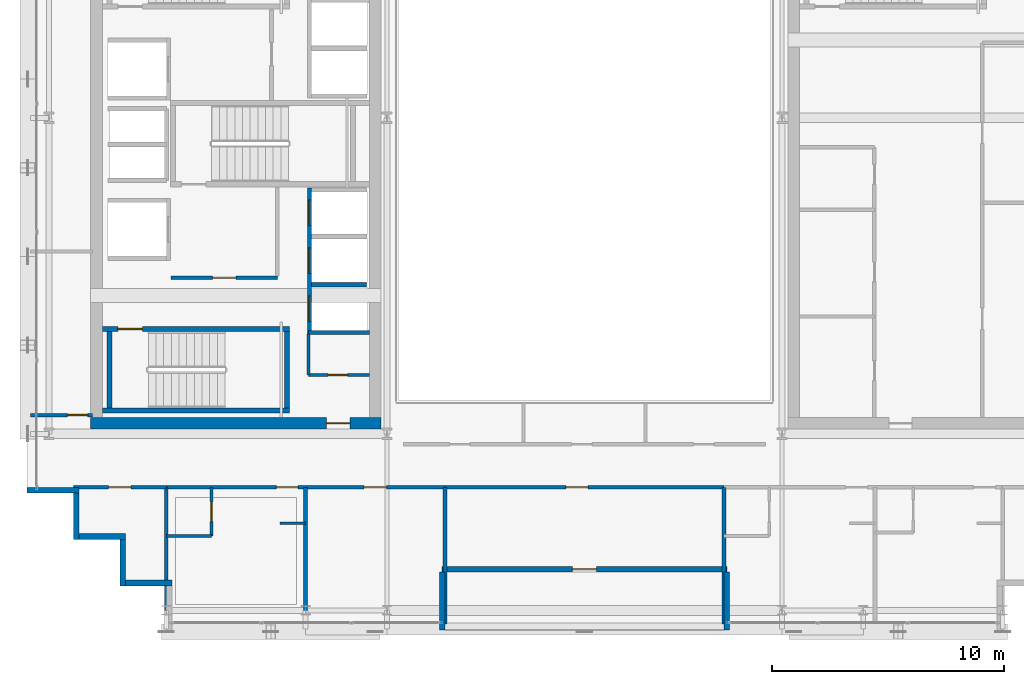
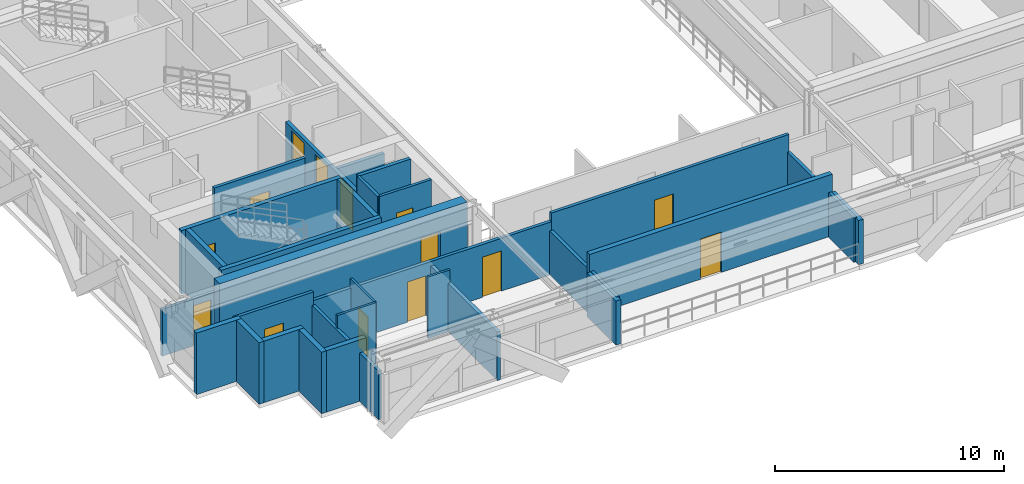
# One storey, part 24 of 32: 30 walls, 14 doors, 14 openings.
"""IFC4 building model written with IfcOpenShell, lengths in metres."""

import ifcopenshell
import ifcopenshell.guid

model = None  # the IFC model being written
_history = None  # IfcOwnerHistory: only IFC2X3 demands one
_inside = {}  # id of a spatial element -> (the spatial element, [elements in it])
_under = {}  # id of a project, library or spatial element -> (it, [spatial elements below it])
_declared = {}  # id of a project -> (the project, [libraries it declares])
_typed = {}  # id of a type object -> (the type object, [elements of that type])
_made_of = {}  # id of a material, layer set ... -> (it, [elements and type objects made of it])


def new_model(schema):
    """Start an empty IFC model of exactly this schema.

    Asked for "IFC4X3", IfcOpenShell would pick the latest addendum, in which some entities
    have other attributes; the version numbers below select the first issue.
    IFC2X3 requires an IfcOwnerHistory on every rooted entity: one is made here for all.
    """
    global model, _history
    if schema == "IFC4X3":
        model = ifcopenshell.file(schema_version=(4, 3, 0, 0))
    else:
        model = ifcopenshell.file(schema=schema)
    _inside.clear()
    _under.clear()
    _declared.clear()
    _typed.clear()
    _made_of.clear()
    _history = None
    if model.schema == "IFC2X3":
        org = make("IfcOrganization", Name="unknown")
        user = make(
            "IfcPersonAndOrganization",
            ThePerson=make("IfcPerson", FamilyName="unknown"),
            TheOrganization=org,
        )
        app = make(
            "IfcApplication",
            ApplicationDeveloper=org,
            Version="unknown",
            ApplicationFullName="unknown",
            ApplicationIdentifier="unknown",
        )
        _history = make(
            "IfcOwnerHistory",
            OwningUser=user,
            OwningApplication=app,
            ChangeAction="ADDED",
            CreationDate=0,
        )
    return model


def make(cls, **values):
    """One entity of the class cls with the attributes given. An attribute that is None is left unset."""
    return model.create_entity(
        cls, **{name: value for name, value in values.items() if value is not None}
    )


def rooted(cls, **values):
    """An entity with a GlobalId (a new one), such as an element, a storey or a relation."""
    return make(cls, GlobalId=ifcopenshell.guid.new(), OwnerHistory=_history, **values)


def si_unit(unit_type, name, prefix=None):
    """IfcSIUnit, for example si_unit("LENGTHUNIT", "METRE", prefix="MILLI")."""
    return make("IfcSIUnit", UnitType=unit_type, Prefix=prefix, Name=name)


def assignment(units):
    """IfcUnitAssignment: the units of a project."""
    return None if units is None else make("IfcUnitAssignment", Units=units)


def point(xyz):
    """IfcCartesianPoint."""
    return None if xyz is None else make("IfcCartesianPoint", Coordinates=xyz)


def direction(xyz):
    """IfcDirection."""
    return None if xyz is None else make("IfcDirection", DirectionRatios=xyz)


def frame(location, z_axis=None, x_axis=None):
    """IfcAxis2Placement3D, a coordinate frame: its origin and axes. An axis left out is left unset."""
    return make(
        "IfcAxis2Placement3D",
        Location=point(location),
        Axis=direction(z_axis),
        RefDirection=direction(x_axis),
    )


def frame_2d(location, x_axis=None):
    """IfcAxis2Placement2D, a coordinate frame in the plane: its origin and x axis."""
    return make(
        "IfcAxis2Placement2D", Location=point(location), RefDirection=direction(x_axis)
    )


def origin():
    """The frame at (0, 0, 0) with its axes left unset."""
    return frame((0.0, 0.0, 0.0))


def place(relative_to, where):
    """IfcLocalPlacement: puts the frame where relative to a parent placement (None: the world)."""
    return make(
        "IfcLocalPlacement", PlacementRelTo=relative_to, RelativePlacement=where
    )


def context(
    kind, dimensions, precision=None, world=None, true_north=None, identifier=None
):
    """IfcGeometricRepresentationContext, for example the 3D "Model" context."""
    return make(
        "IfcGeometricRepresentationContext",
        ContextIdentifier=identifier,
        ContextType=kind,
        CoordinateSpaceDimension=dimensions,
        Precision=precision,
        WorldCoordinateSystem=world,
        TrueNorth=true_north,
    )


def subcontext(parent, identifier, kind, view, scale=None):
    """IfcGeometricRepresentationSubContext, for example "Body" below "Model"."""
    return make(
        "IfcGeometricRepresentationSubContext",
        ContextIdentifier=identifier,
        ContextType=kind,
        ParentContext=parent,
        TargetScale=scale,
        TargetView=view,
    )


def project(units=None, contexts=None):
    """IfcProject with its units and contexts."""
    return rooted(
        "IfcProject",
        Name="project",
        RepresentationContexts=contexts,
        UnitsInContext=assignment(units),
    )


def spatial(cls, under=None, at=None, **own):
    """A site, building, storey or space (cls), placed at a placement, below another one or the project."""
    s = rooted(cls, ObjectPlacement=at, **own)
    if under is not None:
        _under.setdefault(under.id(), (under, []))[1].append(s)
    return s


def profile(cls, at=None, kind="AREA", **sizes):
    """A parametric profile (cls). Its sizes go by their IFC names, for example OverallWidth=200.0."""
    return make(cls, ProfileType=kind, Position=at, **sizes)


def rectangle(**sizes):
    """IfcRectangleProfileDef."""
    return profile("IfcRectangleProfileDef", **sizes)


def extrude(swept, where, along, depth):
    """IfcExtrudedAreaSolid: the profile swept, set in the frame where, extruded along a direction by depth."""
    return make(
        "IfcExtrudedAreaSolid",
        SweptArea=swept,
        Position=where,
        ExtrudedDirection=direction(along),
        Depth=depth,
    )


def shape(context_of_items, identifier, shape_type, items):
    """IfcShapeRepresentation: the items that make up one representation, for example the "Body"."""
    return make(
        "IfcShapeRepresentation",
        ContextOfItems=context_of_items,
        RepresentationIdentifier=identifier,
        RepresentationType=shape_type,
        Items=items,
    )


def source(mapping_origin, context_of_items, identifier, shape_type, items):
    """IfcRepresentationMap: a shape defined once, which mapped items show again and again."""
    return make(
        "IfcRepresentationMap",
        MappingOrigin=mapping_origin,
        MappedRepresentation=shape(context_of_items, identifier, shape_type, items),
    )


def transform(
    local_origin,
    x_axis=None,
    y_axis=None,
    z_axis=None,
    scale=None,
    scale2=None,
    scale3=None,
    uniform=True,
):
    """IfcCartesianTransformationOperator3D, or its non-uniform kind. x_axis, y_axis, z_axis: its Axis1, 2, 3."""
    if uniform:
        return make(
            "IfcCartesianTransformationOperator3D",
            Axis1=direction(x_axis),
            Axis2=direction(y_axis),
            LocalOrigin=point(local_origin),
            Scale=scale,
            Axis3=direction(z_axis),
        )
    return make(
        "IfcCartesianTransformationOperator3DnonUniform",
        Axis1=direction(x_axis),
        Axis2=direction(y_axis),
        LocalOrigin=point(local_origin),
        Scale=scale,
        Axis3=direction(z_axis),
        Scale2=scale2,
        Scale3=scale3,
    )


def mapped(mapping_source, mapping_target):
    """IfcMappedItem: shows the shape of a source again, moved by a transform."""
    return make(
        "IfcMappedItem", MappingSource=mapping_source, MappingTarget=mapping_target
    )


def material(Name=None, Category=None):
    """IfcMaterial."""
    return make("IfcMaterial", Name=Name, Category=Category)


def layer(
    of_material, thickness, ventilated=None, Name=None, Category=None, Priority=None
):
    """IfcMaterialLayer: one layer of a wall or slab, of a material (None: an air gap)."""
    return make(
        "IfcMaterialLayer",
        Material=of_material,
        LayerThickness=thickness,
        IsVentilated=ventilated,
        Name=Name,
        Category=Category,
        Priority=Priority,
    )


def layer_set(layers, Name=None):
    """IfcMaterialLayerSet."""
    return make("IfcMaterialLayerSet", MaterialLayers=layers, LayerSetName=Name)


def made_of(thing, what):
    """Note that an element or type object is made of a material, layer set ...; save() writes the relation."""
    if what is not None:
        _made_of.setdefault(what.id(), (what, []))[1].append(thing)
    return thing


def type_object(cls, material=None, **own):
    """A type object (cls), such as IfcWallType, which elements share."""
    return made_of(rooted(cls, **own), material)


def element(
    cls,
    number,
    at=None,
    inside=None,
    cuts=None,
    type_object=None,
    material=None,
    context=None,
    identifier="Body",
    shape_type=None,
    held_by="IfcProductDefinitionShape",
    body=None,
    shapes=None,
    **own,
):
    """One element of the class cls, such as IfcWall. Its Tag is "e" and its number.

    at: its placement. inside: the storey or other place that contains it. cuts: it is an
    opening in that element (IfcRelVoidsElement). A single representation is given by context,
    identifier, shape_type and body (its items); several are given by shapes. held_by: the class
    of the entity that holds the representations. save() writes the other relations.
    """
    e = rooted(cls, Tag="e%d" % number, ObjectPlacement=at, **own)
    if body is not None:
        shapes = [shape(context, identifier, shape_type, body)]
    if shapes is not None:
        e.Representation = make(held_by, Representations=shapes)
    if inside is not None:
        _inside.setdefault(inside.id(), (inside, []))[1].append(e)
    if cuts is not None:
        rooted(
            "IfcRelVoidsElement", RelatingBuildingElement=cuts, RelatedOpeningElement=e
        )
    if type_object is not None:
        _typed.setdefault(type_object.id(), (type_object, []))[1].append(e)
    return made_of(e, material)


def fill(opening, filler):
    """IfcRelFillsElement: the door or window that sits in an opening."""
    return rooted(
        "IfcRelFillsElement",
        RelatingOpeningElement=opening,
        RelatedBuildingElement=filler,
    )


def aggregate(whole, parts):
    """IfcRelAggregates: a whole, such as a stair, and the parts it consists of."""
    return rooted("IfcRelAggregates", RelatingObject=whole, RelatedObjects=parts)


def save(model, path):
    """Write the relations noted so far, then the file.

    IfcRelAggregates (storeys below a building ...), IfcRelContainedInSpatialStructure (elements
    in a storey), IfcRelDefinesByType, IfcRelAssociatesMaterial and IfcRelDeclares: one each for
    every whole, place, type object, material and project.
    """
    for whole, parts in _under.values():
        aggregate(whole, parts)
    for where, things in _inside.values():
        rooted(
            "IfcRelContainedInSpatialStructure",
            RelatedElements=things,
            RelatingStructure=where,
        )
    for kind, things in _typed.values():
        rooted("IfcRelDefinesByType", RelatedObjects=things, RelatingType=kind)
    for what, things in _made_of.values():
        rooted("IfcRelAssociatesMaterial", RelatedObjects=things, RelatingMaterial=what)
    for by, libraries in _declared.values():
        rooted("IfcRelDeclares", RelatingContext=by, RelatedDefinitions=libraries)
    model.write(path)


model = new_model("IFC4")

# Units and contexts
model_context = context("Model", 3, precision=1e-05, world=origin(), true_north=direction((0.0, 1.0)))
body_context = subcontext(model_context, "Body", "Model", "MODEL_VIEW")
ifc_project = project(units=[si_unit("LENGTHUNIT", "METRE"), si_unit("AREAUNIT", "SQUARE_METRE"), si_unit("VOLUMEUNIT", "CUBIC_METRE"), si_unit("PLANEANGLEUNIT", "RADIAN"), si_unit("MASSUNIT", "GRAM", prefix="KILO")], contexts=[model_context])

# Site, building, storey
site_placement = place(None, origin())
site = spatial("IfcSite", under=ifc_project, at=site_placement, CompositionType="ELEMENT")
building_placement = place(site_placement, origin())
building = spatial("IfcBuilding", under=site, at=building_placement, Name="Ocotamira Hotel", CompositionType="ELEMENT")
storey_placement = place(building_placement, frame((0.0, 0.0, 217.199951171875)))
storey = spatial("IfcBuildingStorey", under=building, at=storey_placement, Name="L55", CompositionType="ELEMENT", Elevation=217.199951171875)

# Wall, opening, door
ifc_material_1 = material(Name="Concrete C50/60", Category="concrete")
ifc_layer_1 = layer(ifc_material_1, 0.5)
ifc_layer_set_1 = layer_set([ifc_layer_1], Name="Concrete C50/60")
wall_type_1 = type_object("IfcWallType", Name="WL-CORE-500", PredefinedType="SHEAR", material=ifc_layer_set_1)
wall_1_placement = place(storey_placement, frame((10.75, 15.0, 0.0), z_axis=(0.0, 0.0, 1.0), x_axis=(1.0, 0.0, 0.0)))
wall_1 = element("IfcWall", 1, at=wall_1_placement, inside=storey, type_object=wall_type_1, Name="L55 Shear Core Wall WCORE-S", PredefinedType="SHEAR", context=body_context, shape_type="SweptSolid", body=[
    extrude(rectangle(XDim=12.5, YDim=0.5, at=frame_2d((6.25, 0.0))), origin(), (0.0, 0.0, 1.0), 3.280029296875),
])
opening_1_placement = place(wall_1_placement, frame((10.14990234375, 0.0, 0.0)))
opening_1 = element("IfcOpeningElement", 2, at=opening_1_placement, cuts=wall_1, Name="Opening D-FR2", PredefinedType="OPENING", context=body_context, shape_type="SweptSolid", body=[
    extrude(rectangle(XDim=1.0, YDim=2.14990234375, at=frame_2d((0.5, 1.074951171875))), frame((0.0, 0.260009765625, 0.0), z_axis=(0.0, -1.0, 0.0), x_axis=(1.0, 0.0, 0.0)), (0.0, 0.0, 1.0), 0.52001953125),
])
ifc_material_2 = material(Name="Fire-rated acoustic timber-veneer door", Category="wood")
door_type_1 = type_object("IfcDoorType", Name="DR-FIRE-1000", OperationType="NOTDEFINED", PredefinedType="DOOR", material=ifc_material_2)
shared_shape_1 = source(origin(), body_context, "Body", "SweptSolid", [
    extrude(rectangle(XDim=1.0, YDim=2.14990234375, at=frame_2d((0.5, 1.074951171875))), frame((0.0, 0.02490234375, 0.0), z_axis=(0.0, -1.0, 0.0), x_axis=(1.0, 0.0, 0.0)), (0.0, 0.0, 1.0), 0.050048828125),
])
door_1_placement = place(opening_1_placement, origin())
door_1 = element("IfcDoor", 3, at=door_1_placement, inside=storey, type_object=door_type_1, Name="L55 Door ID-L55-WLOB-S-D [ID-L55-WLOB-S-D]", OperationType="SINGLE_SWING_LEFT", OverallHeight=2.14990234375, OverallWidth=1.0, PredefinedType="DOOR", context=body_context, shape_type="MappedRepresentation", body=[
    mapped(shared_shape_1, transform((0.0, 0.0, 0.0), scale=1.0)),
])
fill(opening_1, door_1)

# Walls
ifc_material_3 = material(Name="Precast concrete C45/55", Category="concrete")
ifc_layer_2 = layer(ifc_material_3, 0.25)
ifc_layer_set_2 = layer_set([ifc_layer_2], Name="Precast concrete C45/55")
wall_type_2 = type_object("IfcWallType", Name="WL-EXT-SER-250", PredefinedType="SOLIDWALL", material=ifc_layer_set_2)
wall_2_placement = place(storey_placement, frame((8.0, 12.125, 0.0), z_axis=(0.0, 0.0, 1.0), x_axis=(1.0, 0.0, 0.0)))
element("IfcWall", 4, at=wall_2_placement, inside=storey, type_object=wall_type_2, Name="L55 Serrated Corner Wall 19", PredefinedType="SOLIDWALL", context=body_context, shape_type="SweptSolid", body=[
    extrude(rectangle(XDim=2.25, YDim=0.25, at=frame_2d((1.125, 0.0))), origin(), (0.0, 0.0, 1.0), 3.280029296875),
])
for number, where, z_axis, x_axis, name in (
    (5, (10.125, 12.0, 0.0), (0.0, 0.0, 1.0), (0.0, -1.0, 0.0), "L55 Serrated Corner Wall 20"),
    (6, (10.25, 10.125, 0.0), (0.0, 0.0, 1.0), (1.0, 0.0, 0.0), "L55 Serrated Corner Wall 21"),
    (7, (12.125, 10.0, 0.0), (0.0, 0.0, 1.0), (0.0, -1.0, 0.0), "L55 Serrated Corner Wall 22"),
    (8, (12.25, 8.125, 0.0), (0.0, 0.0, 1.0), (1.0, 0.0, 0.0), "L55 Serrated Corner Wall 23"),
):
    element("IfcWall", number, at=place(storey_placement, frame(where, z_axis=z_axis, x_axis=x_axis)), inside=storey, type_object=wall_type_2, Name=name, PredefinedType="SOLIDWALL", context=body_context, shape_type="SweptSolid", body=[
        extrude(rectangle(XDim=2.0, YDim=0.25, at=frame_2d((1.0, 0.0))), origin(), (0.0, 0.0, 1.0), 3.280029296875),
    ])

# Wall, opening, door
wall_3_placement = place(storey_placement, frame((25.875, 8.72509765625, 0.0), z_axis=(0.0, 0.0, 1.0), x_axis=(1.0, 0.0, 0.0)))
wall_3 = element("IfcWall", 9, at=wall_3_placement, inside=storey, type_object=wall_type_2, Name="L55 Sky Terrace Back Wall 1", PredefinedType="SOLIDWALL", context=body_context, shape_type="SweptSolid", body=[
    extrude(rectangle(XDim=12.25, YDim=0.25, at=frame_2d((6.125, 0.0))), origin(), (0.0, 0.0, 1.0), 3.280029296875),
])
opening_2_placement = place(wall_3_placement, frame((5.60009765625, 0.0, 0.0)))
opening_2 = element("IfcOpeningElement", 10, at=opening_2_placement, cuts=wall_3, Name="Opening ED-3", PredefinedType="OPENING", context=body_context, shape_type="SweptSolid", body=[
    extrude(rectangle(XDim=1.050048828125, YDim=2.14990234375, at=frame_2d((0.52490234375, 1.074951171875))), frame((0.0, 0.135009765625, 0.0), z_axis=(0.0, -1.0, 0.0), x_axis=(1.0, 0.0, 0.0)), (0.0, 0.0, 1.0), 0.27001953125),
])
ifc_material_4 = material(Name="Thermally broken aluminium glazed door", Category="aluminium")
door_type_2 = type_object("IfcDoorType", Name="DR-TERR-1050", OperationType="NOTDEFINED", PredefinedType="DOOR", material=ifc_material_4)
shared_shape_2 = source(origin(), body_context, "Body", "SweptSolid", [
    extrude(rectangle(XDim=1.050048828125, YDim=2.14990234375, at=frame_2d((0.52490234375, 1.074951171875))), frame((0.0, 0.02490234375, 0.0), z_axis=(0.0, -1.0, 0.0), x_axis=(1.0, 0.0, 0.0)), (0.0, 0.0, 1.0), 0.050048828125),
])
door_2_placement = place(opening_2_placement, origin())
door_2 = element("IfcDoor", 11, at=door_2_placement, inside=storey, type_object=door_type_2, Name="L55 Sky Terrace Access Door 1 [ED-BAL-L55-1]", OperationType="SINGLE_SWING_LEFT", OverallHeight=2.14990234375, OverallWidth=1.050048828125, PredefinedType="DOOR", context=body_context, shape_type="MappedRepresentation", body=[
    mapped(shared_shape_2, transform((0.0, 0.0, 0.0), scale=1.0)),
])
fill(opening_2, door_2)

# Walls
for number, where, z_axis, x_axis, name in (
    (12, (25.875, 6.10009765625, 0.0), (0.0, 0.0, 1.0), (0.0, 1.0, 0.0), "L55 Sky Terrace Return Wall 1L"),
    (13, (38.125, 6.10009765625, 0.0), (0.0, 0.0, 1.0), (0.0, 1.0, 0.0), "L55 Sky Terrace Return Wall 1R"),
):
    element("IfcWall", number, at=place(storey_placement, frame(where, z_axis=z_axis, x_axis=x_axis)), inside=storey, type_object=wall_type_2, Name=name, PredefinedType="SOLIDWALL", context=body_context, shape_type="SweptSolid", body=[
        extrude(rectangle(XDim=2.5, YDim=0.25, at=frame_2d((1.25, 0.0))), origin(), (0.0, 0.0, 1.0), 2.35302734375),
    ])

# Wall, opening, door
ifc_material_5 = material(Name="Acoustic double-layer fire gypsum board partition", Category="gypsum")
ifc_layer_3 = layer(ifc_material_5, 0.159912109375)
ifc_layer_set_3 = layer_set([ifc_layer_3], Name="Acoustic double-layer fire gypsum board partition")
wall_type_3 = type_object("IfcWallType", Name="WL-FIRE-160", PredefinedType="PARTITIONING", material=ifc_layer_set_3)
wall_4_placement = place(storey_placement, frame((14.199951171875, 21.27001953125, 0.0), z_axis=(0.0, 0.0, 1.0), x_axis=(1.0, 0.0, 0.0)))
wall_4 = element("IfcWall", 14, at=wall_4_placement, inside=storey, type_object=wall_type_3, Name="L55 Interior Wall PW-L55-FSAE1-S", PredefinedType="PARTITIONING", context=body_context, shape_type="SweptSolid", body=[
    extrude(rectangle(XDim=4.580078125, YDim=0.159912109375, at=frame_2d((2.2900390625, 0.0))), origin(), (0.0, 0.0, 1.0), 3.280029296875),
])
opening_3_placement = place(wall_4_placement, frame((1.800048828125, 0.0, 0.0)))
opening_3 = element("IfcOpeningElement", 15, at=opening_3_placement, cuts=wall_4, Name="Opening D-FR2", PredefinedType="OPENING", context=body_context, shape_type="SweptSolid", body=[
    extrude(rectangle(XDim=1.0, YDim=2.14990234375, at=frame_2d((0.5, 1.074951171875))), frame((0.0, 0.08984375, 0.0), z_axis=(0.0, -1.0, 0.0), x_axis=(1.0, 0.0, 0.0)), (0.0, 0.0, 1.0), 0.179931640625),
])
door_3_placement = place(opening_3_placement, origin())
door_3 = element("IfcDoor", 16, at=door_3_placement, inside=storey, type_object=door_type_1, Name="L55 Door ID-L55-FSAE1-D [ID-L55-FSAE1-D]", OperationType="SINGLE_SWING_LEFT", OverallHeight=2.14990234375, OverallWidth=1.0, PredefinedType="DOOR", context=body_context, shape_type="MappedRepresentation", body=[
    mapped(shared_shape_1, transform((0.0, 0.0, 0.0), scale=1.0)),
])
fill(opening_3, door_3)

wall_5_placement = place(storey_placement, frame((10.0, 12.25, 0.0), z_axis=(0.0, 0.0, 1.0), x_axis=(1.0, 0.0, 0.0)))
wall_5 = element("IfcWall", 17, at=wall_5_placement, inside=storey, type_object=wall_type_3, Name="L55 Interior Wall PW-L55-Z3F-CSW-CW", PredefinedType="PARTITIONING", context=body_context, shape_type="SweptSolid", body=[
    extrude(rectangle(XDim=4.0, YDim=0.159912109375, at=frame_2d((2.0, 0.0))), origin(), (0.0, 0.0, 1.0), 3.280029296875),
])
opening_4_placement = place(wall_5_placement, frame((1.52001953125, 0.0, 0.0)))
opening_4 = element("IfcOpeningElement", 18, at=opening_4_placement, cuts=wall_5, Name="Opening D-SV4", PredefinedType="OPENING", context=body_context, shape_type="SweptSolid", body=[
    extrude(rectangle(XDim=0.9599609375, YDim=2.14990234375, at=frame_2d((0.47998046875, 1.074951171875))), frame((0.0, 0.08984375, 0.0), z_axis=(0.0, -1.0, 0.0), x_axis=(1.0, 0.0, 0.0)), (0.0, 0.0, 1.0), 0.179931640625),
])
ifc_material_6 = material(Name="Fire-rated accessible walnut salon door", Category="wood")
door_type_3 = type_object("IfcDoorType", Name="DR-SERV-960", OperationType="NOTDEFINED", PredefinedType="DOOR", material=ifc_material_6)
shared_shape_3 = source(origin(), body_context, "Body", "SweptSolid", [
    extrude(rectangle(XDim=0.9599609375, YDim=2.14990234375, at=frame_2d((0.47998046875, 1.074951171875))), frame((0.0, 0.02490234375, 0.0), z_axis=(0.0, -1.0, 0.0), x_axis=(1.0, 0.0, 0.0)), (0.0, 0.0, 1.0), 0.050048828125),
])
door_4_placement = place(opening_4_placement, origin())
door_4 = element("IfcDoor", 19, at=door_4_placement, inside=storey, type_object=door_type_3, Name="L55 Door ID-L55-Z3F-CSW-CD [ID-L55-Z3F-CSW-CD]", OperationType="SINGLE_SWING_LEFT", OverallHeight=2.14990234375, OverallWidth=0.9599609375, PredefinedType="DOOR", context=body_context, shape_type="MappedRepresentation", body=[
    mapped(shared_shape_3, transform((0.0, 0.0, 0.0), scale=1.0)),
])
fill(opening_4, door_4)

# Wall, openings, doors
wall_6_placement = place(storey_placement, frame((14.0, 12.25, 0.0), z_axis=(0.0, 0.0, 1.0), x_axis=(1.0, 0.0, 0.0)))
wall_6 = element("IfcWall", 20, at=wall_6_placement, inside=storey, type_object=wall_type_3, Name="L55 Interior Wall PW-L55-Z3FSW-CORRW", PredefinedType="PARTITIONING", context=body_context, shape_type="SweptSolid", body=[
    extrude(rectangle(XDim=12.0, YDim=0.159912109375, at=frame_2d((6.0, 0.0))), origin(), (0.0, 0.0, 1.0), 2.822998046875),
])
opening_5_placement = place(wall_6_placement, frame((4.739990234375, 0.0, 0.0)))
opening_5 = element("IfcOpeningElement", 21, at=opening_5_placement, cuts=wall_6, Name="Opening D-GR1", PredefinedType="OPENING", context=body_context, shape_type="SweptSolid", body=[
    extrude(rectangle(XDim=0.93994140625, YDim=2.14990234375, at=frame_2d((0.469970703125, 1.074951171875))), frame((0.0, 0.08984375, 0.0), z_axis=(0.0, -1.0, 0.0), x_axis=(1.0, 0.0, 0.0)), (0.0, 0.0, 1.0), 0.179931640625),
])
opening_6_placement = place(wall_6_placement, frame((8.52001953125, 0.0, 0.0)))
opening_6 = element("IfcOpeningElement", 22, at=opening_6_placement, cuts=wall_6, Name="Opening D-SV4", PredefinedType="OPENING", context=body_context, shape_type="SweptSolid", body=[
    extrude(rectangle(XDim=0.9599609375, YDim=2.14990234375, at=frame_2d((0.47998046875, 1.074951171875))), frame((0.0, 0.08984375, 0.0), z_axis=(0.0, -1.0, 0.0), x_axis=(1.0, 0.0, 0.0)), (0.0, 0.0, 1.0), 0.179931640625),
])
door_5_placement = place(opening_6_placement, origin())
door_5 = element("IfcDoor", 23, at=door_5_placement, inside=storey, type_object=door_type_3, Name="L55 Door ID-L55-Z3FSW-AMD2 [ID-L55-Z3FSW-AMD2]", OperationType="SINGLE_SWING_RIGHT", OverallHeight=2.14990234375, OverallWidth=0.9599609375, PredefinedType="DOOR", context=body_context, shape_type="MappedRepresentation", body=[
    mapped(shared_shape_3, transform((0.0, 0.0, 0.0), scale=1.0)),
])
fill(opening_6, door_5)
ifc_material_7 = material(Name="Solid-core walnut suite entrance fire door", Category="wood")
door_type_4 = type_object("IfcDoorType", Name="DR-GUEST-940", OperationType="NOTDEFINED", PredefinedType="DOOR", material=ifc_material_7)
shared_shape_4 = source(origin(), body_context, "Body", "SweptSolid", [
    extrude(rectangle(XDim=0.93994140625, YDim=2.14990234375, at=frame_2d((0.469970703125, 1.074951171875))), frame((0.0, 0.02490234375, 0.0), z_axis=(0.0, -1.0, 0.0), x_axis=(1.0, 0.0, 0.0)), (0.0, 0.0, 1.0), 0.050048828125),
])
door_6_placement = place(opening_5_placement, origin())
door_6 = element("IfcDoor", 24, at=door_6_placement, inside=storey, type_object=door_type_4, Name="L55 Door ID-L55-Z3FSW-RMD1 [ID-L55-Z3FSW-RMD1]", OperationType="SINGLE_SWING_LEFT", OverallHeight=2.14990234375, OverallWidth=0.93994140625, PredefinedType="DOOR", context=body_context, shape_type="MappedRepresentation", body=[
    mapped(shared_shape_4, transform((0.0, 0.0, 0.0), scale=1.0)),
])
fill(opening_5, door_6)

# Wall, opening, door
wall_7_placement = place(storey_placement, frame((26.0, 12.25, 0.0), z_axis=(0.0, 0.0, 1.0), x_axis=(1.0, 0.0, 0.0)))
wall_7 = element("IfcWall", 25, at=wall_7_placement, inside=storey, type_object=wall_type_3, Name="L55 Interior Wall PW-L55-Z3F-TSALN", PredefinedType="PARTITIONING", context=body_context, shape_type="SweptSolid", body=[
    extrude(rectangle(XDim=12.0, YDim=0.159912109375, at=frame_2d((6.0, 0.0))), origin(), (0.0, 0.0, 1.0), 3.280029296875),
])
opening_7_placement = place(wall_7_placement, frame((5.199951171875, 0.0, 0.0)))
opening_7 = element("IfcOpeningElement", 26, at=opening_7_placement, cuts=wall_7, Name="Opening D-SV4", PredefinedType="OPENING", context=body_context, shape_type="SweptSolid", body=[
    extrude(rectangle(XDim=0.9599609375, YDim=2.14990234375, at=frame_2d((0.47998046875, 1.074951171875))), frame((0.0, 0.08984375, 0.0), z_axis=(0.0, -1.0, 0.0), x_axis=(1.0, 0.0, 0.0)), (0.0, 0.0, 1.0), 0.179931640625),
])
door_7_placement = place(opening_7_placement, origin())
door_7 = element("IfcDoor", 27, at=door_7_placement, inside=storey, type_object=door_type_3, Name="L55 Door ID-L55-Z3F-TSALD [ID-L55-Z3F-TSALD]", OperationType="SINGLE_SWING_LEFT", OverallHeight=2.14990234375, OverallWidth=0.9599609375, PredefinedType="DOOR", context=body_context, shape_type="MappedRepresentation", body=[
    mapped(shared_shape_3, transform((0.0, 0.0, 0.0), scale=1.0)),
])
fill(opening_7, door_7)

ifc_material_8 = material(Name="Moisture-resistant en-suite tile and gypsum partition", Category="gypsum")
ifc_layer_4 = layer(ifc_material_8, 0.1201171875)
ifc_layer_set_4 = layer_set([ifc_layer_4], Name="Moisture-resistant en-suite tile and gypsum partition")
wall_type_4 = type_object("IfcWallType", Name="WL-PART-120", PredefinedType="PARTITIONING", material=ifc_layer_set_4)
wall_8_placement = place(storey_placement, frame((15.949951171875, 10.14990234375, 0.0), z_axis=(0.0, 0.0, 1.0), x_axis=(0.0, 1.0, 0.0)))
wall_8 = element("IfcWall", 28, at=wall_8_placement, inside=storey, type_object=wall_type_4, Name="L55 Interior Wall PW-L55-Z3FSW-BAE1", PredefinedType="PARTITIONING", context=body_context, shape_type="SweptSolid", body=[
    extrude(rectangle(XDim=2.10009765625, YDim=0.1201171875, at=frame_2d((1.050048828125, 0.0))), origin(), (0.0, 0.0, 1.0), 3.280029296875),
])
opening_8_placement = place(wall_8_placement, frame((0.6201171875, 0.0, 0.0)))
opening_8 = element("IfcOpeningElement", 29, at=opening_8_placement, cuts=wall_8, Name="Opening D-BA1", PredefinedType="OPENING", context=body_context, shape_type="SweptSolid", body=[
    extrude(rectangle(XDim=0.860107421875, YDim=2.10009765625, at=frame_2d((0.43017578125, 1.050048828125))), frame((0.0, 0.070068359375, 0.0), z_axis=(0.0, -1.0, 0.0), x_axis=(1.0, 0.0, 0.0)), (0.0, 0.0, 1.0), 0.14013671875),
])
ifc_material_9 = material(Name="Moisture-sealed en-suite timber door", Category="wood")
door_type_5 = type_object("IfcDoorType", Name="DR-BATH-860", OperationType="NOTDEFINED", PredefinedType="DOOR", material=ifc_material_9)
shared_shape_5 = source(origin(), body_context, "Body", "SweptSolid", [
    extrude(rectangle(XDim=0.860107421875, YDim=2.10009765625, at=frame_2d((0.43017578125, 1.050048828125))), frame((0.0, 0.02490234375, 0.0), z_axis=(0.0, -1.0, 0.0), x_axis=(1.0, 0.0, 0.0)), (0.0, 0.0, 1.0), 0.050048828125),
])
door_8_placement = place(opening_8_placement, origin())
door_8 = element("IfcDoor", 30, at=door_8_placement, inside=storey, type_object=door_type_5, Name="L55 Door ID-L55-Z3FSW-BAD1 [ID-L55-Z3FSW-BAD1]", OperationType="SINGLE_SWING_RIGHT", OverallHeight=2.10009765625, OverallWidth=0.860107421875, PredefinedType="DOOR", context=body_context, shape_type="MappedRepresentation", body=[
    mapped(shared_shape_5, transform((0.0, 0.0, 0.0), scale=1.0)),
])
fill(opening_8, door_8)

# Walls
wall_9_placement = place(storey_placement, frame((14.0, 10.14990234375, 0.0), z_axis=(0.0, 0.0, 1.0), x_axis=(1.0, 0.0, 0.0)))
element("IfcWall", 31, at=wall_9_placement, inside=storey, type_object=wall_type_4, Name="L55 Interior Wall PW-L55-Z3FSW-BAS1", PredefinedType="PARTITIONING", context=body_context, shape_type="SweptSolid", body=[
    extrude(rectangle(XDim=1.949951171875, YDim=0.1201171875, at=frame_2d((0.97509765625, 0.0))), origin(), (0.0, 0.0, 1.0), 3.280029296875),
])
wall_10_placement = place(storey_placement, frame((18.89990234375, 10.699951171875, 0.0), z_axis=(0.0, 0.0, 1.0), x_axis=(1.0, 0.0, 0.0)))
element("IfcWall", 32, at=wall_10_placement, inside=storey, type_object=wall_type_4, Name="L55 Interior Wall PW-L55-Z3FSW-DRN1", PredefinedType="PARTITIONING", context=body_context, shape_type="SweptSolid", body=[
    extrude(rectangle(XDim=1.10009765625, YDim=0.1201171875, at=frame_2d((0.550048828125, 0.0))), origin(), (0.0, 0.0, 1.0), 3.280029296875),
])
ifc_material_10 = material(Name="Acoustic hospitality gypsum board partition", Category="gypsum")
ifc_layer_5 = layer(ifc_material_10, 0.14208984375)
ifc_layer_set_5 = layer_set([ifc_layer_5], Name="Acoustic hospitality gypsum board partition")
wall_type_5 = type_object("IfcWallType", Name="WL-PART-142", PredefinedType="PARTITIONING", material=ifc_layer_set_5)
wall_11_placement = place(storey_placement, frame((20.1201171875, 17.080078125, 0.0), z_axis=(0.0, 0.0, 1.0), x_axis=(0.0, 1.0, 0.0)))
element("IfcWall", 33, at=wall_11_placement, inside=storey, type_object=wall_type_5, Name="L55 Interior Wall PW-L55-WC-SE-W2", PredefinedType="PARTITIONING", context=body_context, shape_type="SweptSolid", body=[
    extrude(rectangle(XDim=1.760009765625, YDim=0.14208984375, at=frame_2d((0.8798828125, 0.0))), origin(), (0.0, 0.0, 1.0), 3.280029296875),
])

# Wall, opening, door
wall_12_placement = place(storey_placement, frame((20.1201171875, 17.080078125, 0.0), z_axis=(0.0, 0.0, 1.0), x_axis=(1.0, 0.0, 0.0)))
wall_12 = element("IfcWall", 34, at=wall_12_placement, inside=storey, type_object=wall_type_5, Name="L55 Interior Wall PW-L55-WC-SE-S2", PredefinedType="PARTITIONING", context=body_context, shape_type="SweptSolid", body=[
    extrude(rectangle(XDim=2.6298828125, YDim=0.14208984375, at=frame_2d((1.31494140625, 0.0))), origin(), (0.0, 0.0, 1.0), 3.280029296875),
])
opening_9_placement = place(wall_12_placement, frame((0.85009765625, 0.0, 0.0)))
opening_9 = element("IfcOpeningElement", 35, at=opening_9_placement, cuts=wall_12, Name="Opening D-SV1", PredefinedType="OPENING", context=body_context, shape_type="SweptSolid", body=[
    extrude(rectangle(XDim=0.840087890625, YDim=2.10009765625, at=frame_2d((0.419921875, 1.050048828125))), frame((0.0, 0.0810546875, 0.0), z_axis=(0.0, -1.0, 0.0), x_axis=(1.0, 0.0, 0.0)), (0.0, 0.0, 1.0), 0.162109375),
])
ifc_material_11 = material(Name="Fire-rated painted steel service door", Category="steel")
door_type_6 = type_object("IfcDoorType", Name="DR-SERV-840", OperationType="NOTDEFINED", PredefinedType="DOOR", material=ifc_material_11)
shared_shape_6 = source(origin(), body_context, "Body", "SweptSolid", [
    extrude(rectangle(XDim=0.840087890625, YDim=2.10009765625, at=frame_2d((0.419921875, 1.050048828125))), frame((0.0, 0.02490234375, 0.0), z_axis=(0.0, -1.0, 0.0), x_axis=(1.0, 0.0, 0.0)), (0.0, 0.0, 1.0), 0.050048828125),
])
door_9_placement = place(opening_9_placement, origin())
door_9 = element("IfcDoor", 36, at=door_9_placement, inside=storey, type_object=door_type_6, Name="L55 Door ID-L55-WC-SE-D2 [ID-L55-WC-SE-D2]", OperationType="SINGLE_SWING_LEFT", OverallHeight=2.10009765625, OverallWidth=0.840087890625, PredefinedType="DOOR", context=body_context, shape_type="MappedRepresentation", body=[
    mapped(shared_shape_6, transform((0.0, 0.0, 0.0), scale=1.0)),
])
fill(opening_9, door_9)

ifc_layer_6 = layer(ifc_material_10, 0.14990234375)
ifc_layer_set_6 = layer_set([ifc_layer_6], Name="Acoustic hospitality gypsum board partition")
wall_type_6 = type_object("IfcWallType", Name="WL-PART-150", PredefinedType="PARTITIONING", material=ifc_layer_set_6)
wall_13_placement = place(storey_placement, frame((8.159912109375, 15.360107421875, 0.0), z_axis=(0.0, 0.0, 1.0), x_axis=(1.0, 0.0, 0.0)))
wall_13 = element("IfcWall", 37, at=wall_13_placement, inside=storey, type_object=wall_type_6, Name="L55 Interior Wall PW-L55-Z3F-WF-WS", PredefinedType="PARTITIONING", context=body_context, shape_type="SweptSolid", body=[
    extrude(rectangle(XDim=2.66015625, YDim=0.14990234375, at=frame_2d((1.330078125, 0.0))), origin(), (0.0, 0.0, 1.0), 2.5009765625),
])
opening_10_placement = place(wall_13_placement, frame((1.580078125, 0.0, 0.0)))
opening_10 = element("IfcOpeningElement", 38, at=opening_10_placement, cuts=wall_13, Name="Opening D-SV2", PredefinedType="OPENING", context=body_context, shape_type="SweptSolid", body=[
    extrude(rectangle(XDim=0.8798828125, YDim=2.14990234375, at=frame_2d((0.43994140625, 1.074951171875))), frame((0.0, 0.0849609375, 0.0), z_axis=(0.0, -1.0, 0.0), x_axis=(1.0, 0.0, 0.0)), (0.0, 0.0, 1.0), 0.169921875),
])
door_type_7 = type_object("IfcDoorType", Name="DR-SERV-880", OperationType="NOTDEFINED", PredefinedType="DOOR", material=ifc_material_11)
shared_shape_7 = source(origin(), body_context, "Body", "SweptSolid", [
    extrude(rectangle(XDim=0.8798828125, YDim=2.14990234375, at=frame_2d((0.43994140625, 1.074951171875))), frame((0.0, 0.02490234375, 0.0), z_axis=(0.0, -1.0, 0.0), x_axis=(1.0, 0.0, 0.0)), (0.0, 0.0, 1.0), 0.050048828125),
])
door_10_placement = place(opening_10_placement, origin())
door_10 = element("IfcDoor", 39, at=door_10_placement, inside=storey, type_object=door_type_7, Name="L55 Door ID-L55-Z3F-WF-DS [ID-L55-Z3F-WF-DS]", OperationType="SINGLE_SWING_LEFT", OverallHeight=2.14990234375, OverallWidth=0.8798828125, PredefinedType="DOOR", context=body_context, shape_type="MappedRepresentation", body=[
    mapped(shared_shape_7, transform((0.0, 0.0, 0.0), scale=1.0)),
])
fill(opening_10, door_10)

# Walls
ifc_material_12 = material(Name="Acoustic double-stud hospitality gypsum partition", Category="gypsum")
ifc_layer_7 = layer(ifc_material_12, 0.159912109375)
ifc_layer_set_7 = layer_set([ifc_layer_7], Name="Acoustic double-stud hospitality gypsum partition")
wall_type_7 = type_object("IfcWallType", Name="WL-PART-160", PredefinedType="PARTITIONING", material=ifc_layer_set_7)
wall_14_placement = place(storey_placement, frame((14.0, 6.360107421875, 0.0), z_axis=(0.0, 0.0, 1.0), x_axis=(0.0, 1.0, 0.0)))
element("IfcWall", 40, at=wall_14_placement, inside=storey, type_object=wall_type_7, Name="L55 Interior Wall PW-L55-Z3FSW-PW0", PredefinedType="PARTITIONING", context=body_context, shape_type="SweptSolid", body=[
    extrude(rectangle(XDim=5.889892578125, YDim=0.159912109375, at=frame_2d((2.94482421875, 0.0))), origin(), (0.0, 0.0, 1.0), 2.587158203125),
])
for number, where, z_axis, x_axis, name in (
    (41, (26.0, 6.360107421875, 0.0), (0.0, 0.0, 1.0), (0.0, 1.0, 0.0), "L55 Interior Wall PW-L55-Z3FSW-PWEND"),
    (42, (38.0, 6.360107421875, 0.0), (0.0, 0.0, 1.0), (0.0, 1.0, 0.0), "L55 Interior Wall PW-L55-Z3FSE-PW0"),
):
    element("IfcWall", number, at=place(storey_placement, frame(where, z_axis=z_axis, x_axis=x_axis)), inside=storey, type_object=wall_type_7, Name=name, PredefinedType="PARTITIONING", context=body_context, shape_type="SweptSolid", body=[
        extrude(rectangle(XDim=5.889892578125, YDim=0.159912109375, at=frame_2d((2.94482421875, 0.0))), origin(), (0.0, 0.0, 1.0), 2.360107421875),
    ])
ifc_material_13 = material(Name="Double-stud suite party gypsum partition", Category="gypsum")
ifc_layer_8 = layer(ifc_material_13, 0.175048828125)
ifc_layer_set_8 = layer_set([ifc_layer_8], Name="Double-stud suite party gypsum partition")
wall_type_8 = type_object("IfcWallType", Name="WL-PART-175", PredefinedType="PARTITIONING", material=ifc_layer_set_8)
wall_15_placement = place(storey_placement, frame((20.0, 6.360107421875, 0.0), z_axis=(0.0, 0.0, 1.0), x_axis=(0.0, 1.0, 0.0)))
element("IfcWall", 43, at=wall_15_placement, inside=storey, type_object=wall_type_8, Name="L55 Interior Wall PW-L55-Z3FSW-PW1", PredefinedType="PARTITIONING", context=body_context, shape_type="SweptSolid", body=[
    extrude(rectangle(XDim=5.889892578125, YDim=0.175048828125, at=frame_2d((2.94482421875, 0.0))), origin(), (0.0, 0.0, 1.0), 2.587158203125),
])

# Wall, openings, doors
ifc_material_14 = material(Name="Fire-rated gypsum shaftliner board assembly", Category="gypsum")
ifc_layer_9 = layer(ifc_material_14, 0.179931640625)
ifc_layer_set_9 = layer_set([ifc_layer_9], Name="Fire-rated gypsum shaftliner board assembly")
wall_type_9 = type_object("IfcWallType", Name="WL-SHAFT-180", PredefinedType="SOLIDWALL", material=ifc_layer_set_9)
wall_16_placement = place(storey_placement, frame((20.159912109375, 18.820068359375, 0.0), z_axis=(0.0, 0.0, 1.0), x_axis=(0.0, 1.0, 0.0)))
wall_16 = element("IfcWall", 44, at=wall_16_placement, inside=storey, type_object=wall_type_9, Name="L55 Interior Wall PW-L55-LFW-BANK-high-F", PredefinedType="SOLIDWALL", context=body_context, shape_type="SweptSolid", body=[
    extrude(rectangle(XDim=6.31982421875, YDim=0.179931640625, at=frame_2d((3.159912109375, 0.0))), origin(), (0.0, 0.0, 1.0), 2.380126953125),
])
opening_11_placement = place(wall_16_placement, frame((0.554931640625, 0.0, 0.0)))
opening_11 = element("IfcOpeningElement", 45, at=opening_11_placement, cuts=wall_16, Name="Opening LD-LF-P7", PredefinedType="OPENING", context=body_context, shape_type="SweptSolid", body=[
    extrude(rectangle(XDim=1.10009765625, YDim=2.199951171875, at=frame_2d((0.550048828125, 1.10009765625))), frame((0.0, 0.10009765625, 0.0), z_axis=(0.0, -1.0, 0.0), x_axis=(1.0, 0.0, 0.0)), (0.0, 0.0, 1.0), 0.199951171875),
])
opening_12_placement = place(wall_16_placement, frame((2.635009765625, 0.0, 0.0)))
opening_12 = element("IfcOpeningElement", 46, at=opening_12_placement, cuts=wall_16, Name="Opening LD-LF-P8", PredefinedType="OPENING", context=body_context, shape_type="SweptSolid", body=[
    extrude(rectangle(XDim=1.10009765625, YDim=2.199951171875, at=frame_2d((0.550048828125, 1.10009765625))), frame((0.0, 0.10009765625, 0.0), z_axis=(0.0, -1.0, 0.0), x_axis=(1.0, 0.0, 0.0)), (0.0, 0.0, 1.0), 0.199951171875),
])
opening_13_placement = place(wall_16_placement, frame((4.68994140625, 0.0, 0.0)))
opening_13 = element("IfcOpeningElement", 47, at=opening_13_placement, cuts=wall_16, Name="Opening LD-LF-P9", PredefinedType="OPENING", context=body_context, shape_type="SweptSolid", body=[
    extrude(rectangle(XDim=1.10009765625, YDim=2.199951171875, at=frame_2d((0.550048828125, 1.10009765625))), frame((0.0, 0.10009765625, 0.0), z_axis=(0.0, -1.0, 0.0), x_axis=(1.0, 0.0, 0.0)), (0.0, 0.0, 1.0), 0.199951171875),
])
ifc_material_15 = material(Name="Brushed pale-metal stainless elevator landing door", Category="steel")
door_type_8 = type_object("IfcDoorType", Name="DR-LIFT-1100", OperationType="NOTDEFINED", PredefinedType="DOOR", material=ifc_material_15)
shared_shape_8 = source(origin(), body_context, "Body", "SweptSolid", [
    extrude(rectangle(XDim=1.10009765625, YDim=2.199951171875, at=frame_2d((0.550048828125, 1.10009765625))), frame((0.0, 0.02490234375, 0.0), z_axis=(0.0, -1.0, 0.0), x_axis=(1.0, 0.0, 0.0)), (0.0, 0.0, 1.0), 0.050048828125),
])
door_11_placement = place(opening_11_placement, origin())
door_11 = element("IfcDoor", 48, at=door_11_placement, inside=storey, type_object=door_type_8, Name="L55 Landing Door LD-LF-P7 [ID-L55-LD-LF-P7]", OperationType="DOUBLE_DOOR_SLIDING", OverallHeight=2.199951171875, OverallWidth=1.10009765625, PredefinedType="DOOR", context=body_context, shape_type="MappedRepresentation", body=[
    mapped(shared_shape_8, transform((0.0, 0.0, 0.0), scale=1.0)),
])
fill(opening_11, door_11)
door_12_placement = place(opening_12_placement, origin())
door_12 = element("IfcDoor", 49, at=door_12_placement, inside=storey, type_object=door_type_8, Name="L55 Landing Door LD-LF-P8 [ID-L55-LD-LF-P8]", OperationType="DOUBLE_DOOR_SLIDING", OverallHeight=2.199951171875, OverallWidth=1.10009765625, PredefinedType="DOOR", context=body_context, shape_type="MappedRepresentation", body=[
    mapped(shared_shape_8, transform((0.0, 0.0, 0.0), scale=1.0)),
])
fill(opening_12, door_12)
door_13_placement = place(opening_13_placement, origin())
door_13 = element("IfcDoor", 50, at=door_13_placement, inside=storey, type_object=door_type_8, Name="L55 Landing Door LD-LF-P9 [ID-L55-LD-LF-P9]", OperationType="DOUBLE_DOOR_SLIDING", OverallHeight=2.199951171875, OverallWidth=1.10009765625, PredefinedType="DOOR", context=body_context, shape_type="MappedRepresentation", body=[
    mapped(shared_shape_8, transform((0.0, 0.0, 0.0), scale=1.0)),
])
fill(opening_13, door_13)

# Walls
wall_17_placement = place(storey_placement, frame((20.1201171875, 18.909912109375, 0.0), z_axis=(0.0, 0.0, 1.0), x_axis=(1.0, 0.0, 0.0)))
element("IfcWall", 51, at=wall_17_placement, inside=storey, type_object=wall_type_9, Name="L55 Interior Wall PW-L55-LFW-BANK-high-S", PredefinedType="SOLIDWALL", context=body_context, shape_type="SweptSolid", body=[
    extrude(rectangle(XDim=2.6298828125, YDim=0.179931640625, at=frame_2d((1.31494140625, 0.0))), origin(), (0.0, 0.0, 1.0), 3.280029296875),
])
wall_18_placement = place(storey_placement, frame((20.25, 20.965087890625, 0.0), z_axis=(0.0, 0.0, 1.0), x_axis=(1.0, 0.0, 0.0)))
element("IfcWall", 52, at=wall_18_placement, inside=storey, type_object=wall_type_9, Name="L55 Interior Wall PW-L55-LFW-DIV-LF-P7", PredefinedType="SOLIDWALL", context=body_context, shape_type="SweptSolid", body=[
    extrude(rectangle(XDim=2.360107421875, YDim=0.179931640625, at=frame_2d((1.18017578125, 0.0))), origin(), (0.0, 0.0, 1.0), 2.380126953125),
])
ifc_layer_10 = layer(ifc_material_1, 0.219970703125)
ifc_layer_set_10 = layer_set([ifc_layer_10], Name="Concrete C50/60")
wall_type_10 = type_object("IfcWallType", Name="WL-STAIR-220", PredefinedType="SHEAR", material=ifc_layer_set_10)
wall_19_placement = place(storey_placement, frame((11.25, 15.56005859375, 0.0), z_axis=(0.0, 0.0, 1.0), x_axis=(1.0, 0.0, 0.0)))
element("IfcWall", 53, at=wall_19_placement, inside=storey, type_object=wall_type_10, Name="L55 Stair Shaft Structural Wall ST-1-S", PredefinedType="SHEAR", context=body_context, shape_type="SweptSolid", body=[
    extrude(rectangle(XDim=8.06005859375, YDim=0.219970703125, at=frame_2d((4.030029296875, 0.0))), origin(), (0.0, 0.0, 1.0), 3.400146484375),
])

# Wall, opening, door
wall_20_placement = place(storey_placement, frame((11.25, 19.06005859375, 0.0), z_axis=(0.0, 0.0, 1.0), x_axis=(1.0, 0.0, 0.0)))
wall_20 = element("IfcWall", 54, at=wall_20_placement, inside=storey, type_object=wall_type_10, Name="L55 Stair Shaft Structural Wall ST-1-N", PredefinedType="SHEAR", context=body_context, shape_type="SweptSolid", body=[
    extrude(rectangle(XDim=8.06005859375, YDim=0.219970703125, at=frame_2d((4.030029296875, 0.0))), origin(), (0.0, 0.0, 1.0), 3.400146484375),
])
opening_14_placement = place(wall_20_placement, frame((0.669921875, 0.0, 0.0)))
opening_14 = element("IfcOpeningElement", 55, at=opening_14_placement, cuts=wall_20, Name="Opening D-ST2", PredefinedType="OPENING", context=body_context, shape_type="SweptSolid", body=[
    extrude(rectangle(XDim=1.050048828125, YDim=2.14990234375, at=frame_2d((0.52490234375, 1.074951171875))), frame((0.0, 0.1201171875, 0.0), z_axis=(0.0, -1.0, 0.0), x_axis=(1.0, 0.0, 0.0)), (0.0, 0.0, 1.0), 0.239990234375),
])
ifc_material_16 = material(Name="Insulated painted hollow-metal fire exit door", Category="steel")
door_type_9 = type_object("IfcDoorType", Name="DR-STAIR-1050", OperationType="NOTDEFINED", PredefinedType="DOOR", material=ifc_material_16)
door_14_placement = place(opening_14_placement, origin())
door_14 = element("IfcDoor", 56, at=door_14_placement, inside=storey, type_object=door_type_9, Name="L55 Door ID-L55-STD-ST-1 [ID-L55-STD-ST-1]", OperationType="SINGLE_SWING_RIGHT", OverallHeight=2.14990234375, OverallWidth=1.050048828125, PredefinedType="DOOR", context=body_context, shape_type="MappedRepresentation", body=[
    mapped(shared_shape_2, transform((0.0, 0.0, 0.0), scale=1.0)),
])
fill(opening_14, door_14)

# Walls
for number, where, z_axis, x_axis, name in (
    (57, (11.56005859375, 15.669921875, 0.0), (0.0, 0.0, 1.0), (0.0, 1.0, 0.0), "L55 Stair Shaft Structural Wall ST-1-W"),
    (58, (19.199951171875, 15.669921875, 0.0), (0.0, 0.0, 1.0), (0.0, 1.0, 0.0), "L55 Stair Shaft Structural Wall ST-1-E"),
):
    element("IfcWall", number, at=place(storey_placement, frame(where, z_axis=z_axis, x_axis=x_axis)), inside=storey, type_object=wall_type_10, Name=name, PredefinedType="SHEAR", context=body_context, shape_type="SweptSolid", body=[
        extrude(rectangle(XDim=3.280029296875, YDim=0.219970703125, at=frame_2d((1.64013671875, 0.0))), origin(), (0.0, 0.0, 1.0), 3.400146484375),
    ])

save(model, "model.ifc")
